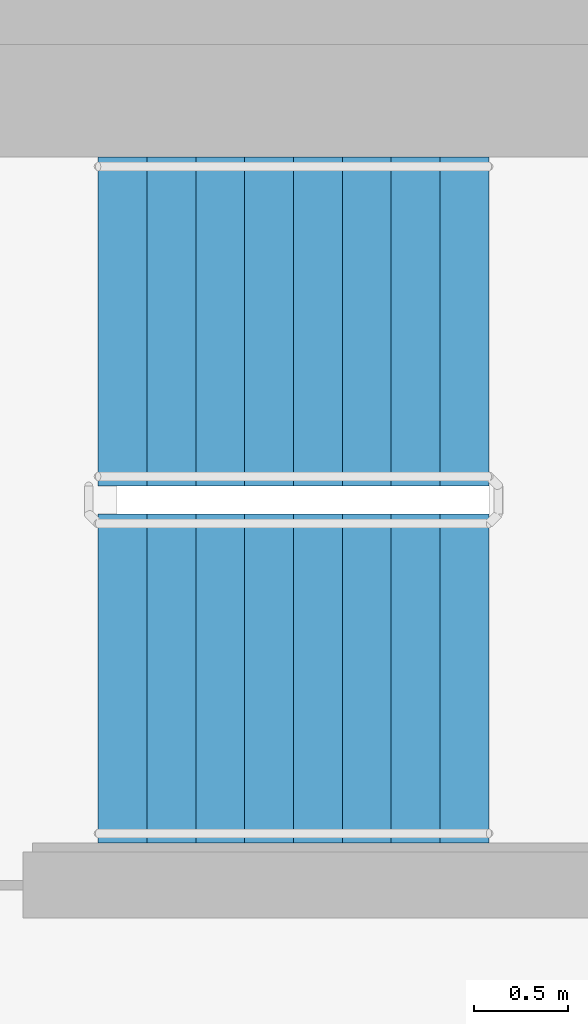
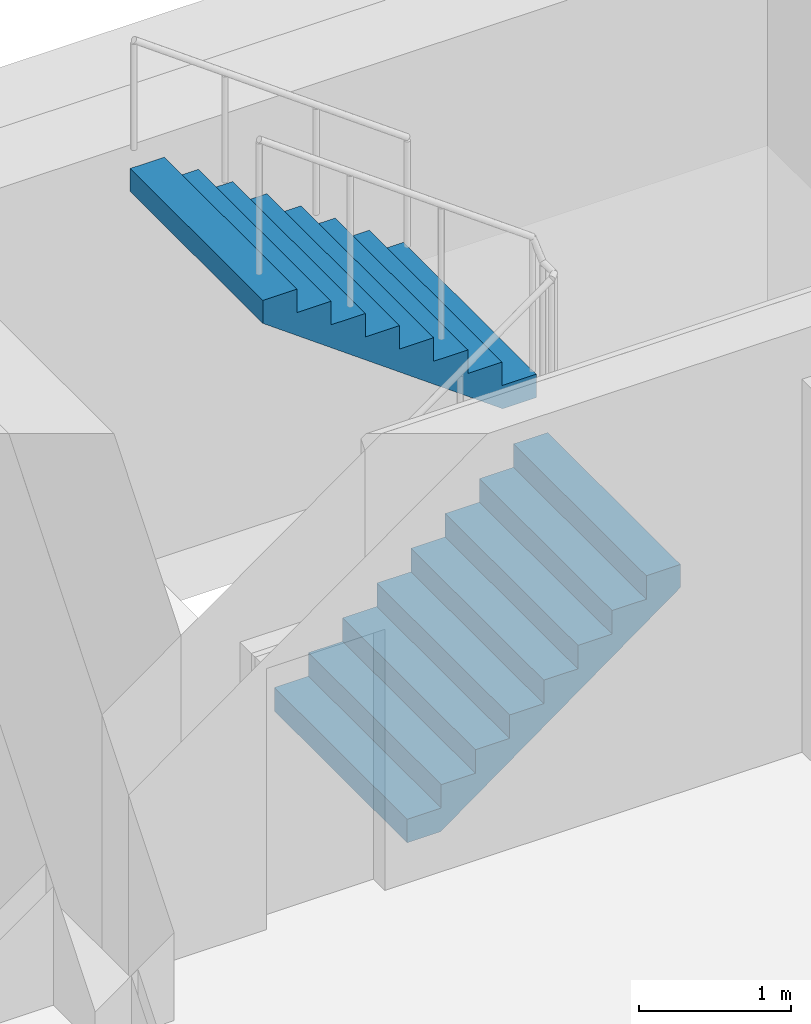
# One storey, part 13 of 18: 2 stair flights, 1 element without a shape of its own.
"""IFC4 building model written with IfcOpenShell, lengths in metres."""

import ifcopenshell
import ifcopenshell.guid

model = None  # the IFC model being written
_history = None  # IfcOwnerHistory: only IFC2X3 demands one
_inside = {}  # id of a spatial element -> (the spatial element, [elements in it])
_under = {}  # id of a project, library or spatial element -> (it, [spatial elements below it])
_declared = {}  # id of a project -> (the project, [libraries it declares])
_typed = {}  # id of a type object -> (the type object, [elements of that type])
_made_of = {}  # id of a material, layer set ... -> (it, [elements and type objects made of it])


def new_model(schema):
    """Start an empty IFC model of exactly this schema.

    Asked for "IFC4X3", IfcOpenShell would pick the latest addendum, in which some entities
    have other attributes; the version numbers below select the first issue.
    IFC2X3 requires an IfcOwnerHistory on every rooted entity: one is made here for all.
    """
    global model, _history
    if schema == "IFC4X3":
        model = ifcopenshell.file(schema_version=(4, 3, 0, 0))
    else:
        model = ifcopenshell.file(schema=schema)
    _inside.clear()
    _under.clear()
    _declared.clear()
    _typed.clear()
    _made_of.clear()
    _history = None
    if model.schema == "IFC2X3":
        org = make("IfcOrganization", Name="unknown")
        user = make(
            "IfcPersonAndOrganization",
            ThePerson=make("IfcPerson", FamilyName="unknown"),
            TheOrganization=org,
        )
        app = make(
            "IfcApplication",
            ApplicationDeveloper=org,
            Version="unknown",
            ApplicationFullName="unknown",
            ApplicationIdentifier="unknown",
        )
        _history = make(
            "IfcOwnerHistory",
            OwningUser=user,
            OwningApplication=app,
            ChangeAction="ADDED",
            CreationDate=0,
        )
    return model


def make(cls, **values):
    """One entity of the class cls with the attributes given. An attribute that is None is left unset."""
    return model.create_entity(
        cls, **{name: value for name, value in values.items() if value is not None}
    )


def rooted(cls, **values):
    """An entity with a GlobalId (a new one), such as an element, a storey or a relation."""
    return make(cls, GlobalId=ifcopenshell.guid.new(), OwnerHistory=_history, **values)


def si_unit(unit_type, name, prefix=None):
    """IfcSIUnit, for example si_unit("LENGTHUNIT", "METRE", prefix="MILLI")."""
    return make("IfcSIUnit", UnitType=unit_type, Prefix=prefix, Name=name)


def assignment(units):
    """IfcUnitAssignment: the units of a project."""
    return None if units is None else make("IfcUnitAssignment", Units=units)


def point(xyz):
    """IfcCartesianPoint."""
    return None if xyz is None else make("IfcCartesianPoint", Coordinates=xyz)


def direction(xyz):
    """IfcDirection."""
    return None if xyz is None else make("IfcDirection", DirectionRatios=xyz)


def frame(location, z_axis=None, x_axis=None):
    """IfcAxis2Placement3D, a coordinate frame: its origin and axes. An axis left out is left unset."""
    return make(
        "IfcAxis2Placement3D",
        Location=point(location),
        Axis=direction(z_axis),
        RefDirection=direction(x_axis),
    )


def origin():
    """The frame at (0, 0, 0) with its axes left unset."""
    return frame((0.0, 0.0, 0.0))


def place(relative_to, where):
    """IfcLocalPlacement: puts the frame where relative to a parent placement (None: the world)."""
    return make(
        "IfcLocalPlacement", PlacementRelTo=relative_to, RelativePlacement=where
    )


def context(
    kind, dimensions, precision=None, world=None, true_north=None, identifier=None
):
    """IfcGeometricRepresentationContext, for example the 3D "Model" context."""
    return make(
        "IfcGeometricRepresentationContext",
        ContextIdentifier=identifier,
        ContextType=kind,
        CoordinateSpaceDimension=dimensions,
        Precision=precision,
        WorldCoordinateSystem=world,
        TrueNorth=true_north,
    )


def subcontext(parent, identifier, kind, view, scale=None):
    """IfcGeometricRepresentationSubContext, for example "Body" below "Model"."""
    return make(
        "IfcGeometricRepresentationSubContext",
        ContextIdentifier=identifier,
        ContextType=kind,
        ParentContext=parent,
        TargetScale=scale,
        TargetView=view,
    )


def project(units=None, contexts=None):
    """IfcProject with its units and contexts."""
    return rooted(
        "IfcProject",
        Name="project",
        RepresentationContexts=contexts,
        UnitsInContext=assignment(units),
    )


def spatial(cls, under=None, at=None, **own):
    """A site, building, storey or space (cls), placed at a placement, below another one or the project."""
    s = rooted(cls, ObjectPlacement=at, **own)
    if under is not None:
        _under.setdefault(under.id(), (under, []))[1].append(s)
    return s


def faces_of(points, faces, orient=None, outer=None):
    """IfcFace entities. A face is a list of loops; a loop is a list of indices into points, from 0.

    orient and outer hold one flag for each loop. By default every Orientation is true, the
    first loop of a face is its IfcFaceOuterBound and the others are IfcFaceBound.
    """
    made = []
    for i, loops in enumerate(faces):
        bounds = []
        for j, loop in enumerate(loops):
            is_outer = j == 0 if outer is None else outer[i][j]
            bounds.append(
                make(
                    "IfcFaceOuterBound" if is_outer else "IfcFaceBound",
                    Bound=make("IfcPolyLoop", Polygon=[points[k] for k in loop]),
                    Orientation=True if orient is None else orient[i][j],
                )
            )
        made.append(make("IfcFace", Bounds=bounds))
    return made


def faceted_brep(points, faces, orient=None, outer=None, voids=None):
    """IfcFacetedBrep: a solid bounded by flat faces; with voids (closed shells), ...WithVoids."""
    shared = [point(p) for p in points]
    hull = make("IfcClosedShell", CfsFaces=faces_of(shared, faces, orient, outer))
    if voids is None:
        return make("IfcFacetedBrep", Outer=hull)
    return make(
        "IfcFacetedBrepWithVoids",
        Outer=hull,
        Voids=[
            make(cls, CfsFaces=faces_of(shared, fs, o, b)) for cls, fs, o, b in voids
        ],
    )


def shape(context_of_items, identifier, shape_type, items):
    """IfcShapeRepresentation: the items that make up one representation, for example the "Body"."""
    return make(
        "IfcShapeRepresentation",
        ContextOfItems=context_of_items,
        RepresentationIdentifier=identifier,
        RepresentationType=shape_type,
        Items=items,
    )


def material(Name=None, Category=None):
    """IfcMaterial."""
    return make("IfcMaterial", Name=Name, Category=Category)


def made_of(thing, what):
    """Note that an element or type object is made of a material, layer set ...; save() writes the relation."""
    if what is not None:
        _made_of.setdefault(what.id(), (what, []))[1].append(thing)
    return thing


def type_object(cls, material=None, **own):
    """A type object (cls), such as IfcWallType, which elements share."""
    return made_of(rooted(cls, **own), material)


def element(
    cls,
    number,
    at=None,
    inside=None,
    cuts=None,
    type_object=None,
    material=None,
    context=None,
    identifier="Body",
    shape_type=None,
    held_by="IfcProductDefinitionShape",
    body=None,
    shapes=None,
    **own,
):
    """One element of the class cls, such as IfcWall. Its Tag is "e" and its number.

    at: its placement. inside: the storey or other place that contains it. cuts: it is an
    opening in that element (IfcRelVoidsElement). A single representation is given by context,
    identifier, shape_type and body (its items); several are given by shapes. held_by: the class
    of the entity that holds the representations. save() writes the other relations.
    """
    e = rooted(cls, Tag="e%d" % number, ObjectPlacement=at, **own)
    if body is not None:
        shapes = [shape(context, identifier, shape_type, body)]
    if shapes is not None:
        e.Representation = make(held_by, Representations=shapes)
    if inside is not None:
        _inside.setdefault(inside.id(), (inside, []))[1].append(e)
    if cuts is not None:
        rooted(
            "IfcRelVoidsElement", RelatingBuildingElement=cuts, RelatedOpeningElement=e
        )
    if type_object is not None:
        _typed.setdefault(type_object.id(), (type_object, []))[1].append(e)
    return made_of(e, material)


def aggregate(whole, parts):
    """IfcRelAggregates: a whole, such as a stair, and the parts it consists of."""
    return rooted("IfcRelAggregates", RelatingObject=whole, RelatedObjects=parts)


def save(model, path):
    """Write the relations noted so far, then the file.

    IfcRelAggregates (storeys below a building ...), IfcRelContainedInSpatialStructure (elements
    in a storey), IfcRelDefinesByType, IfcRelAssociatesMaterial and IfcRelDeclares: one each for
    every whole, place, type object, material and project.
    """
    for whole, parts in _under.values():
        aggregate(whole, parts)
    for where, things in _inside.values():
        rooted(
            "IfcRelContainedInSpatialStructure",
            RelatedElements=things,
            RelatingStructure=where,
        )
    for kind, things in _typed.values():
        rooted("IfcRelDefinesByType", RelatedObjects=things, RelatingType=kind)
    for what, things in _made_of.values():
        rooted("IfcRelAssociatesMaterial", RelatedObjects=things, RelatingMaterial=what)
    for by, libraries in _declared.values():
        rooted("IfcRelDeclares", RelatingContext=by, RelatedDefinitions=libraries)
    model.write(path)


model = new_model("IFC4")

# Units and contexts
model_context = context("Model", 3, precision=1e-05, world=origin(), true_north=direction((0.0, 1.0)))
body_context = subcontext(model_context, "Body", "Model", "MODEL_VIEW")
ifc_project = project(units=[si_unit("LENGTHUNIT", "METRE"), si_unit("AREAUNIT", "SQUARE_METRE"), si_unit("VOLUMEUNIT", "CUBIC_METRE"), si_unit("PLANEANGLEUNIT", "RADIAN"), si_unit("MASSUNIT", "GRAM", prefix="KILO")], contexts=[model_context])

# Site, building, storey
site_placement = place(None, origin())
site = spatial("IfcSite", under=ifc_project, at=site_placement, CompositionType="ELEMENT")
building_placement = place(site_placement, origin())
building = spatial("IfcBuilding", under=site, at=building_placement, Name="Ipe Terrace Towers", CompositionType="ELEMENT")
storey_placement = place(building_placement, frame((0.0, 0.0, 223.199951171875)))
storey = spatial("IfcBuildingStorey", under=building, at=storey_placement, Name="L62", CompositionType="ELEMENT", Elevation=223.199951171875)

# Stair, stair flights
ifc_material_1 = material(Name="Concrete C30/37", Category="concrete")
stair_type = type_object("IfcStairType", Name="Protected exit stair", PredefinedType="HALF_TURN_STAIR", material=ifc_material_1)
stair_placement = place(storey_placement, origin())
stair = element("IfcStair", 1, at=stair_placement, inside=storey, type_object=stair_type, Name="L62 Exit stair T1-C1", PredefinedType="HALF_TURN_STAIR")
ifc_material_2 = material(Name="Concrete C30/37", Category="concrete")
stair_flight_type = type_object("IfcStairFlightType", Name="Exit stair flight 1750", PredefinedType="STRAIGHT", material=ifc_material_2)
stair_flight_1_placement = place(storey_placement, frame((-26.300048828125, 2.77490234375, 0.0), z_axis=(0.0, 0.0, 1.0), x_axis=(1.0, 0.0, 0.0)))
stair_flight_1 = element("IfcStairFlight", 2, at=stair_flight_1_placement, type_object=stair_flight_type, Name="T1-ST1 flight 1", NumberOfRisers=9, NumberOfTreads=8, PredefinedType="STRAIGHT", RiserHeight=0.188888889, TreadLength=0.26, context=body_context, shape_type="Brep", body=[
    faceted_brep([(0.255126953125, -0.875, 0.0), (2.080078125, -0.875, 1.325927734375), (2.080078125, -0.875, 1.51123046875), (1.820068359375, -0.875, 1.51123046875), (1.820068359375, -0.875, 1.322265625), (1.56005859375, -0.875, 1.322265625), (1.56005859375, -0.875, 1.13330078125), (1.300048828125, -0.875, 1.13330078125), (1.300048828125, -0.875, 0.9443359375), (1.0400390625, -0.875, 0.9443359375), (1.0400390625, -0.875, 0.755615234375), (0.780029296875, -0.875, 0.755615234375), (0.780029296875, -0.875, 0.566650390625), (0.52001953125, -0.875, 0.566650390625), (0.52001953125, -0.875, 0.377685546875), (0.260009765625, -0.875, 0.377685546875), (0.260009765625, -0.875, 0.18896484375), (0.0, -0.875, 0.18896484375), (0.0, -0.875, 0.0), (0.0, 0.875, 0.0), (0.0, 0.875, 0.18896484375), (0.260009765625, 0.875, 0.18896484375), (0.260009765625, 0.875, 0.377685546875), (0.52001953125, 0.875, 0.377685546875), (0.52001953125, 0.875, 0.566650390625), (0.780029296875, 0.875, 0.566650390625), (0.780029296875, 0.875, 0.755615234375), (1.0400390625, 0.875, 0.755615234375), (1.0400390625, 0.875, 0.9443359375), (1.300048828125, 0.875, 0.9443359375), (1.300048828125, 0.875, 1.13330078125), (1.56005859375, 0.875, 1.13330078125), (1.56005859375, 0.875, 1.322265625), (1.820068359375, 0.875, 1.322265625), (1.820068359375, 0.875, 1.51123046875), (2.080078125, 0.875, 1.51123046875), (2.080078125, 0.875, 1.325927734375), (0.255126953125, 0.875, 0.0), (0.0, -0.300048828125, 0.18896484375), (0.0, -0.1201171875, 0.18896484375), (0.0, -0.06005859375, 0.18896484375), (0.0, -0.030029296875, 0.18896484375), (0.0, -0.010009765625, 0.18896484375), (0.0, 0.0, 0.18896484375), (0.0, 0.010009765625, 0.18896484375), (0.0, 0.030029296875, 0.18896484375), (0.0, 0.06005859375, 0.18896484375), (0.0, 0.1201171875, 0.18896484375), (0.0, 0.300048828125, 0.18896484375), (0.0, 0.300048828125, 0.0), (0.0, 0.1201171875, 0.0), (0.0, 0.06005859375, 0.0), (0.0, 0.030029296875, 0.0), (0.0, 0.010009765625, 0.0), (0.0, 0.0, 0.0), (0.0, -0.010009765625, 0.0), (0.0, -0.030029296875, 0.0), (0.0, -0.06005859375, 0.0), (0.0, -0.1201171875, 0.0), (0.0, -0.300048828125, 0.0), (0.260009765625, -0.300048828125, 0.18896484375), (0.260009765625, -0.1201171875, 0.18896484375), (0.260009765625, -0.06005859375, 0.18896484375), (0.260009765625, -0.030029296875, 0.18896484375), (0.260009765625, -0.010009765625, 0.18896484375), (0.260009765625, 0.0, 0.18896484375), (0.260009765625, 0.010009765625, 0.18896484375), (0.260009765625, 0.030029296875, 0.18896484375), (0.260009765625, 0.06005859375, 0.18896484375), (0.260009765625, 0.1201171875, 0.18896484375), (0.260009765625, 0.300048828125, 0.18896484375), (0.260009765625, -0.300048828125, 0.377685546875), (0.260009765625, -0.1201171875, 0.377685546875), (0.260009765625, -0.06005859375, 0.377685546875), (0.260009765625, -0.030029296875, 0.377685546875), (0.260009765625, -0.010009765625, 0.377685546875), (0.260009765625, 0.0, 0.377685546875), (0.260009765625, 0.010009765625, 0.377685546875), (0.260009765625, 0.030029296875, 0.377685546875), (0.260009765625, 0.06005859375, 0.377685546875), (0.260009765625, 0.1201171875, 0.377685546875), (0.260009765625, 0.300048828125, 0.377685546875), (0.52001953125, -0.300048828125, 0.377685546875), (0.52001953125, -0.1201171875, 0.377685546875), (0.52001953125, -0.06005859375, 0.377685546875), (0.52001953125, -0.030029296875, 0.377685546875), (0.52001953125, -0.010009765625, 0.377685546875), (0.52001953125, 0.0, 0.377685546875), (0.52001953125, 0.010009765625, 0.377685546875), (0.52001953125, 0.030029296875, 0.377685546875), (0.52001953125, 0.06005859375, 0.377685546875), (0.52001953125, 0.1201171875, 0.377685546875), (0.52001953125, 0.300048828125, 0.377685546875), (0.52001953125, -0.300048828125, 0.566650390625), (0.52001953125, -0.1201171875, 0.566650390625), (0.52001953125, -0.06005859375, 0.566650390625), (0.52001953125, -0.030029296875, 0.566650390625), (0.52001953125, -0.010009765625, 0.566650390625), (0.52001953125, 0.0, 0.566650390625), (0.52001953125, 0.010009765625, 0.566650390625), (0.52001953125, 0.030029296875, 0.566650390625), (0.52001953125, 0.06005859375, 0.566650390625), (0.52001953125, 0.1201171875, 0.566650390625), (0.52001953125, 0.300048828125, 0.566650390625), (0.780029296875, -0.300048828125, 0.566650390625), (0.780029296875, -0.1201171875, 0.566650390625), (0.780029296875, -0.06005859375, 0.566650390625), (0.780029296875, -0.030029296875, 0.566650390625), (0.780029296875, -0.010009765625, 0.566650390625), (0.780029296875, 0.0, 0.566650390625), (0.780029296875, 0.010009765625, 0.566650390625), (0.780029296875, 0.030029296875, 0.566650390625), (0.780029296875, 0.06005859375, 0.566650390625), (0.780029296875, 0.1201171875, 0.566650390625), (0.780029296875, 0.300048828125, 0.566650390625), (0.780029296875, -0.300048828125, 0.755615234375), (0.780029296875, -0.1201171875, 0.755615234375), (0.780029296875, -0.06005859375, 0.755615234375), (0.780029296875, -0.030029296875, 0.755615234375), (0.780029296875, -0.010009765625, 0.755615234375), (0.780029296875, 0.0, 0.755615234375), (0.780029296875, 0.010009765625, 0.755615234375), (0.780029296875, 0.030029296875, 0.755615234375), (0.780029296875, 0.06005859375, 0.755615234375), (0.780029296875, 0.1201171875, 0.755615234375), (0.780029296875, 0.300048828125, 0.755615234375), (1.0400390625, -0.300048828125, 0.755615234375), (1.0400390625, -0.1201171875, 0.755615234375), (1.0400390625, -0.06005859375, 0.755615234375), (1.0400390625, -0.030029296875, 0.755615234375), (1.0400390625, -0.010009765625, 0.755615234375), (1.0400390625, 0.0, 0.755615234375), (1.0400390625, 0.010009765625, 0.755615234375), (1.0400390625, 0.030029296875, 0.755615234375), (1.0400390625, 0.06005859375, 0.755615234375), (1.0400390625, 0.1201171875, 0.755615234375), (1.0400390625, 0.300048828125, 0.755615234375), (1.0400390625, -0.300048828125, 0.9443359375), (1.0400390625, -0.1201171875, 0.9443359375), (1.0400390625, -0.06005859375, 0.9443359375), (1.0400390625, -0.030029296875, 0.9443359375), (1.0400390625, -0.010009765625, 0.9443359375), (1.0400390625, 0.0, 0.9443359375), (1.0400390625, 0.010009765625, 0.9443359375), (1.0400390625, 0.030029296875, 0.9443359375), (1.0400390625, 0.06005859375, 0.9443359375), (1.0400390625, 0.1201171875, 0.9443359375), (1.0400390625, 0.300048828125, 0.9443359375), (1.300048828125, -0.300048828125, 0.9443359375), (1.300048828125, -0.1201171875, 0.9443359375), (1.300048828125, -0.06005859375, 0.9443359375), (1.300048828125, -0.030029296875, 0.9443359375), (1.300048828125, -0.010009765625, 0.9443359375), (1.300048828125, 0.0, 0.9443359375), (1.300048828125, 0.010009765625, 0.9443359375), (1.300048828125, 0.030029296875, 0.9443359375), (1.300048828125, 0.06005859375, 0.9443359375), (1.300048828125, 0.1201171875, 0.9443359375), (1.300048828125, 0.300048828125, 0.9443359375), (1.300048828125, -0.300048828125, 1.13330078125), (1.300048828125, -0.1201171875, 1.13330078125), (1.300048828125, -0.06005859375, 1.13330078125), (1.300048828125, -0.030029296875, 1.13330078125), (1.300048828125, -0.010009765625, 1.13330078125), (1.300048828125, 0.0, 1.13330078125), (1.300048828125, 0.010009765625, 1.13330078125), (1.300048828125, 0.030029296875, 1.13330078125), (1.300048828125, 0.06005859375, 1.13330078125), (1.300048828125, 0.1201171875, 1.13330078125), (1.300048828125, 0.300048828125, 1.13330078125), (1.56005859375, -0.300048828125, 1.13330078125), (1.56005859375, -0.1201171875, 1.13330078125), (1.56005859375, -0.06005859375, 1.13330078125), (1.56005859375, -0.030029296875, 1.13330078125), (1.56005859375, -0.010009765625, 1.13330078125), (1.56005859375, 0.0, 1.13330078125), (1.56005859375, 0.010009765625, 1.13330078125), (1.56005859375, 0.030029296875, 1.13330078125), (1.56005859375, 0.06005859375, 1.13330078125), (1.56005859375, 0.1201171875, 1.13330078125), (1.56005859375, 0.300048828125, 1.13330078125), (1.56005859375, -0.300048828125, 1.322265625), (1.56005859375, -0.1201171875, 1.322265625), (1.56005859375, -0.06005859375, 1.322265625), (1.56005859375, -0.030029296875, 1.322265625), (1.56005859375, -0.010009765625, 1.322265625), (1.56005859375, 0.0, 1.322265625), (1.56005859375, 0.010009765625, 1.322265625), (1.56005859375, 0.030029296875, 1.322265625), (1.56005859375, 0.06005859375, 1.322265625), (1.56005859375, 0.1201171875, 1.322265625), (1.56005859375, 0.300048828125, 1.322265625), (1.820068359375, -0.300048828125, 1.322265625), (1.820068359375, -0.1201171875, 1.322265625), (1.820068359375, -0.06005859375, 1.322265625), (1.820068359375, -0.030029296875, 1.322265625), (1.820068359375, -0.010009765625, 1.322265625), (1.820068359375, 0.0, 1.322265625), (1.820068359375, 0.010009765625, 1.322265625), (1.820068359375, 0.030029296875, 1.322265625), (1.820068359375, 0.06005859375, 1.322265625), (1.820068359375, 0.1201171875, 1.322265625), (1.820068359375, 0.300048828125, 1.322265625), (1.820068359375, -0.300048828125, 1.51123046875), (1.820068359375, -0.1201171875, 1.51123046875), (1.820068359375, -0.06005859375, 1.51123046875), (1.820068359375, -0.030029296875, 1.51123046875), (1.820068359375, -0.010009765625, 1.51123046875), (1.820068359375, 0.0, 1.51123046875), (1.820068359375, 0.010009765625, 1.51123046875), (1.820068359375, 0.030029296875, 1.51123046875), (1.820068359375, 0.06005859375, 1.51123046875), (1.820068359375, 0.1201171875, 1.51123046875), (1.820068359375, 0.300048828125, 1.51123046875), (2.080078125, -0.300048828125, 1.51123046875), (2.080078125, -0.1201171875, 1.51123046875), (2.080078125, -0.06005859375, 1.51123046875), (2.080078125, -0.030029296875, 1.51123046875), (2.080078125, -0.010009765625, 1.51123046875), (2.080078125, 0.0, 1.51123046875), (2.080078125, 0.010009765625, 1.51123046875), (2.080078125, 0.030029296875, 1.51123046875), (2.080078125, 0.06005859375, 1.51123046875), (2.080078125, 0.1201171875, 1.51123046875), (2.080078125, 0.300048828125, 1.51123046875), (2.080078125, -0.300048828125, 1.325927734375), (2.080078125, -0.1201171875, 1.325927734375), (2.080078125, -0.06005859375, 1.325927734375), (2.080078125, -0.030029296875, 1.325927734375), (2.080078125, -0.010009765625, 1.325927734375), (2.080078125, 0.0, 1.325927734375), (2.080078125, 0.010009765625, 1.325927734375), (2.080078125, 0.030029296875, 1.325927734375), (2.080078125, 0.06005859375, 1.325927734375), (2.080078125, 0.1201171875, 1.325927734375), (2.080078125, 0.300048828125, 1.325927734375), (0.255126953125, -0.300048828125, 0.0), (0.255126953125, -0.1201171875, 0.0), (0.255126953125, -0.06005859375, 0.0), (0.255126953125, -0.030029296875, 0.0), (0.255126953125, -0.010009765625, 0.0), (0.255126953125, 0.0, 0.0), (0.255126953125, 0.010009765625, 0.0), (0.255126953125, 0.030029296875, 0.0), (0.255126953125, 0.06005859375, 0.0), (0.255126953125, 0.1201171875, 0.0), (0.255126953125, 0.300048828125, 0.0)], [[[0, 1, 2, 3, 4, 5, 6, 7, 8, 9, 10, 11, 12, 13, 14, 15, 16, 17, 18]], [[19, 20, 21, 22, 23, 24, 25, 26, 27, 28, 29, 30, 31, 32, 33, 34, 35, 36, 37]], [[17, 38, 39, 40, 41, 42, 43, 44, 45, 46, 47, 48, 20, 19, 49, 50, 51, 52, 53, 54, 55, 56, 57, 58, 59, 18]], [[16, 60, 61, 62, 63, 64, 65, 66, 67, 68, 69, 70, 21, 20, 48, 47, 46, 45, 44, 43, 42, 41, 40, 39, 38, 17]], [[15, 71, 72, 73, 74, 75, 76, 77, 78, 79, 80, 81, 22, 21, 70, 69, 68, 67, 66, 65, 64, 63, 62, 61, 60, 16]], [[14, 82, 83, 84, 85, 86, 87, 88, 89, 90, 91, 92, 23, 22, 81, 80, 79, 78, 77, 76, 75, 74, 73, 72, 71, 15]], [[13, 93, 94, 95, 96, 97, 98, 99, 100, 101, 102, 103, 24, 23, 92, 91, 90, 89, 88, 87, 86, 85, 84, 83, 82, 14]], [[12, 104, 105, 106, 107, 108, 109, 110, 111, 112, 113, 114, 25, 24, 103, 102, 101, 100, 99, 98, 97, 96, 95, 94, 93, 13]], [[11, 115, 116, 117, 118, 119, 120, 121, 122, 123, 124, 125, 26, 25, 114, 113, 112, 111, 110, 109, 108, 107, 106, 105, 104, 12]], [[10, 126, 127, 128, 129, 130, 131, 132, 133, 134, 135, 136, 27, 26, 125, 124, 123, 122, 121, 120, 119, 118, 117, 116, 115, 11]], [[9, 137, 138, 139, 140, 141, 142, 143, 144, 145, 146, 147, 28, 27, 136, 135, 134, 133, 132, 131, 130, 129, 128, 127, 126, 10]], [[8, 148, 149, 150, 151, 152, 153, 154, 155, 156, 157, 158, 29, 28, 147, 146, 145, 144, 143, 142, 141, 140, 139, 138, 137, 9]], [[7, 159, 160, 161, 162, 163, 164, 165, 166, 167, 168, 169, 30, 29, 158, 157, 156, 155, 154, 153, 152, 151, 150, 149, 148, 8]], [[6, 170, 171, 172, 173, 174, 175, 176, 177, 178, 179, 180, 31, 30, 169, 168, 167, 166, 165, 164, 163, 162, 161, 160, 159, 7]], [[5, 181, 182, 183, 184, 185, 186, 187, 188, 189, 190, 191, 32, 31, 180, 179, 178, 177, 176, 175, 174, 173, 172, 171, 170, 6]], [[4, 192, 193, 194, 195, 196, 197, 198, 199, 200, 201, 202, 33, 32, 191, 190, 189, 188, 187, 186, 185, 184, 183, 182, 181, 5]], [[3, 203, 204, 205, 206, 207, 208, 209, 210, 211, 212, 213, 34, 33, 202, 201, 200, 199, 198, 197, 196, 195, 194, 193, 192, 4]], [[2, 214, 215, 216, 217, 218, 219, 220, 221, 222, 223, 224, 35, 34, 213, 212, 211, 210, 209, 208, 207, 206, 205, 204, 203, 3]], [[1, 225, 226, 227, 228, 229, 230, 231, 232, 233, 234, 235, 36, 35, 224, 223, 222, 221, 220, 219, 218, 217, 216, 215, 214, 2]], [[0, 236, 237, 238, 239, 240, 241, 242, 243, 244, 245, 246, 37, 36, 235, 234, 233, 232, 231, 230, 229, 228, 227, 226, 225, 1]], [[18, 59, 58, 57, 56, 55, 54, 53, 52, 51, 50, 49, 19, 37, 246, 245, 244, 243, 242, 241, 240, 239, 238, 237, 236, 0]]]),
])
stair_flight_2_placement = place(storey_placement, frame((-24.219970703125, 4.675048828125, 1.699951171875), z_axis=(0.0, 0.0, 1.0), x_axis=(-1.0, 0.0, 0.0)))
stair_flight_2 = element("IfcStairFlight", 3, at=stair_flight_2_placement, type_object=stair_flight_type, Name="T1-ST1 flight 2", NumberOfRisers=9, NumberOfTreads=8, PredefinedType="STRAIGHT", RiserHeight=0.188888889, TreadLength=0.26, context=body_context, shape_type="Brep", body=[
    faceted_brep([(0.255126953125, -0.875, 0.0), (2.080078125, -0.875, 1.325927734375), (2.080078125, -0.875, 1.51123046875), (1.820068359375, -0.875, 1.51123046875), (1.820068359375, -0.875, 1.322265625), (1.56005859375, -0.875, 1.322265625), (1.56005859375, -0.875, 1.13330078125), (1.300048828125, -0.875, 1.13330078125), (1.300048828125, -0.875, 0.9443359375), (1.0400390625, -0.875, 0.9443359375), (1.0400390625, -0.875, 0.755615234375), (0.780029296875, -0.875, 0.755615234375), (0.780029296875, -0.875, 0.566650390625), (0.52001953125, -0.875, 0.566650390625), (0.52001953125, -0.875, 0.377685546875), (0.260009765625, -0.875, 0.377685546875), (0.260009765625, -0.875, 0.18896484375), (0.0, -0.875, 0.18896484375), (0.0, -0.875, 0.0), (0.0, 0.875, 0.0), (0.0, 0.875, 0.18896484375), (0.260009765625, 0.875, 0.18896484375), (0.260009765625, 0.875, 0.377685546875), (0.52001953125, 0.875, 0.377685546875), (0.52001953125, 0.875, 0.566650390625), (0.780029296875, 0.875, 0.566650390625), (0.780029296875, 0.875, 0.755615234375), (1.0400390625, 0.875, 0.755615234375), (1.0400390625, 0.875, 0.9443359375), (1.300048828125, 0.875, 0.9443359375), (1.300048828125, 0.875, 1.13330078125), (1.56005859375, 0.875, 1.13330078125), (1.56005859375, 0.875, 1.322265625), (1.820068359375, 0.875, 1.322265625), (1.820068359375, 0.875, 1.51123046875), (2.080078125, 0.875, 1.51123046875), (2.080078125, 0.875, 1.325927734375), (0.255126953125, 0.875, 0.0), (0.0, -0.300048828125, 0.18896484375), (0.0, -0.1201171875, 0.18896484375), (0.0, -0.06005859375, 0.18896484375), (0.0, -0.030029296875, 0.18896484375), (0.0, -0.010009765625, 0.18896484375), (0.0, 0.0, 0.18896484375), (0.0, 0.010009765625, 0.18896484375), (0.0, 0.030029296875, 0.18896484375), (0.0, 0.06005859375, 0.18896484375), (0.0, 0.1201171875, 0.18896484375), (0.0, 0.300048828125, 0.18896484375), (0.0, 0.300048828125, 0.0), (0.0, 0.1201171875, 0.0), (0.0, 0.06005859375, 0.0), (0.0, 0.030029296875, 0.0), (0.0, 0.010009765625, 0.0), (0.0, 0.0, 0.0), (0.0, -0.010009765625, 0.0), (0.0, -0.030029296875, 0.0), (0.0, -0.06005859375, 0.0), (0.0, -0.1201171875, 0.0), (0.0, -0.300048828125, 0.0), (0.260009765625, -0.300048828125, 0.18896484375), (0.260009765625, -0.1201171875, 0.18896484375), (0.260009765625, -0.06005859375, 0.18896484375), (0.260009765625, -0.030029296875, 0.18896484375), (0.260009765625, -0.010009765625, 0.18896484375), (0.260009765625, 0.0, 0.18896484375), (0.260009765625, 0.010009765625, 0.18896484375), (0.260009765625, 0.030029296875, 0.18896484375), (0.260009765625, 0.06005859375, 0.18896484375), (0.260009765625, 0.1201171875, 0.18896484375), (0.260009765625, 0.300048828125, 0.18896484375), (0.260009765625, -0.300048828125, 0.377685546875), (0.260009765625, -0.1201171875, 0.377685546875), (0.260009765625, -0.06005859375, 0.377685546875), (0.260009765625, -0.030029296875, 0.377685546875), (0.260009765625, -0.010009765625, 0.377685546875), (0.260009765625, 0.0, 0.377685546875), (0.260009765625, 0.010009765625, 0.377685546875), (0.260009765625, 0.030029296875, 0.377685546875), (0.260009765625, 0.06005859375, 0.377685546875), (0.260009765625, 0.1201171875, 0.377685546875), (0.260009765625, 0.300048828125, 0.377685546875), (0.52001953125, -0.300048828125, 0.377685546875), (0.52001953125, -0.1201171875, 0.377685546875), (0.52001953125, -0.06005859375, 0.377685546875), (0.52001953125, -0.030029296875, 0.377685546875), (0.52001953125, -0.010009765625, 0.377685546875), (0.52001953125, 0.0, 0.377685546875), (0.52001953125, 0.010009765625, 0.377685546875), (0.52001953125, 0.030029296875, 0.377685546875), (0.52001953125, 0.06005859375, 0.377685546875), (0.52001953125, 0.1201171875, 0.377685546875), (0.52001953125, 0.300048828125, 0.377685546875), (0.52001953125, -0.300048828125, 0.566650390625), (0.52001953125, -0.1201171875, 0.566650390625), (0.52001953125, -0.06005859375, 0.566650390625), (0.52001953125, -0.030029296875, 0.566650390625), (0.52001953125, -0.010009765625, 0.566650390625), (0.52001953125, 0.0, 0.566650390625), (0.52001953125, 0.010009765625, 0.566650390625), (0.52001953125, 0.030029296875, 0.566650390625), (0.52001953125, 0.06005859375, 0.566650390625), (0.52001953125, 0.1201171875, 0.566650390625), (0.52001953125, 0.300048828125, 0.566650390625), (0.780029296875, -0.300048828125, 0.566650390625), (0.780029296875, -0.1201171875, 0.566650390625), (0.780029296875, -0.06005859375, 0.566650390625), (0.780029296875, -0.030029296875, 0.566650390625), (0.780029296875, -0.010009765625, 0.566650390625), (0.780029296875, 0.0, 0.566650390625), (0.780029296875, 0.010009765625, 0.566650390625), (0.780029296875, 0.030029296875, 0.566650390625), (0.780029296875, 0.06005859375, 0.566650390625), (0.780029296875, 0.1201171875, 0.566650390625), (0.780029296875, 0.300048828125, 0.566650390625), (0.780029296875, -0.300048828125, 0.755615234375), (0.780029296875, -0.1201171875, 0.755615234375), (0.780029296875, -0.06005859375, 0.755615234375), (0.780029296875, -0.030029296875, 0.755615234375), (0.780029296875, -0.010009765625, 0.755615234375), (0.780029296875, 0.0, 0.755615234375), (0.780029296875, 0.010009765625, 0.755615234375), (0.780029296875, 0.030029296875, 0.755615234375), (0.780029296875, 0.06005859375, 0.755615234375), (0.780029296875, 0.1201171875, 0.755615234375), (0.780029296875, 0.300048828125, 0.755615234375), (1.0400390625, -0.300048828125, 0.755615234375), (1.0400390625, -0.1201171875, 0.755615234375), (1.0400390625, -0.06005859375, 0.755615234375), (1.0400390625, -0.030029296875, 0.755615234375), (1.0400390625, -0.010009765625, 0.755615234375), (1.0400390625, 0.0, 0.755615234375), (1.0400390625, 0.010009765625, 0.755615234375), (1.0400390625, 0.030029296875, 0.755615234375), (1.0400390625, 0.06005859375, 0.755615234375), (1.0400390625, 0.1201171875, 0.755615234375), (1.0400390625, 0.300048828125, 0.755615234375), (1.0400390625, -0.300048828125, 0.9443359375), (1.0400390625, -0.1201171875, 0.9443359375), (1.0400390625, -0.06005859375, 0.9443359375), (1.0400390625, -0.030029296875, 0.9443359375), (1.0400390625, -0.010009765625, 0.9443359375), (1.0400390625, 0.0, 0.9443359375), (1.0400390625, 0.010009765625, 0.9443359375), (1.0400390625, 0.030029296875, 0.9443359375), (1.0400390625, 0.06005859375, 0.9443359375), (1.0400390625, 0.1201171875, 0.9443359375), (1.0400390625, 0.300048828125, 0.9443359375), (1.300048828125, -0.300048828125, 0.9443359375), (1.300048828125, -0.1201171875, 0.9443359375), (1.300048828125, -0.06005859375, 0.9443359375), (1.300048828125, -0.030029296875, 0.9443359375), (1.300048828125, -0.010009765625, 0.9443359375), (1.300048828125, 0.0, 0.9443359375), (1.300048828125, 0.010009765625, 0.9443359375), (1.300048828125, 0.030029296875, 0.9443359375), (1.300048828125, 0.06005859375, 0.9443359375), (1.300048828125, 0.1201171875, 0.9443359375), (1.300048828125, 0.300048828125, 0.9443359375), (1.300048828125, -0.300048828125, 1.13330078125), (1.300048828125, -0.1201171875, 1.13330078125), (1.300048828125, -0.06005859375, 1.13330078125), (1.300048828125, -0.030029296875, 1.13330078125), (1.300048828125, -0.010009765625, 1.13330078125), (1.300048828125, 0.0, 1.13330078125), (1.300048828125, 0.010009765625, 1.13330078125), (1.300048828125, 0.030029296875, 1.13330078125), (1.300048828125, 0.06005859375, 1.13330078125), (1.300048828125, 0.1201171875, 1.13330078125), (1.300048828125, 0.300048828125, 1.13330078125), (1.56005859375, -0.300048828125, 1.13330078125), (1.56005859375, -0.1201171875, 1.13330078125), (1.56005859375, -0.06005859375, 1.13330078125), (1.56005859375, -0.030029296875, 1.13330078125), (1.56005859375, -0.010009765625, 1.13330078125), (1.56005859375, 0.0, 1.13330078125), (1.56005859375, 0.010009765625, 1.13330078125), (1.56005859375, 0.030029296875, 1.13330078125), (1.56005859375, 0.06005859375, 1.13330078125), (1.56005859375, 0.1201171875, 1.13330078125), (1.56005859375, 0.300048828125, 1.13330078125), (1.56005859375, -0.300048828125, 1.322265625), (1.56005859375, -0.1201171875, 1.322265625), (1.56005859375, -0.06005859375, 1.322265625), (1.56005859375, -0.030029296875, 1.322265625), (1.56005859375, -0.010009765625, 1.322265625), (1.56005859375, 0.0, 1.322265625), (1.56005859375, 0.010009765625, 1.322265625), (1.56005859375, 0.030029296875, 1.322265625), (1.56005859375, 0.06005859375, 1.322265625), (1.56005859375, 0.1201171875, 1.322265625), (1.56005859375, 0.300048828125, 1.322265625), (1.820068359375, -0.300048828125, 1.322265625), (1.820068359375, -0.1201171875, 1.322265625), (1.820068359375, -0.06005859375, 1.322265625), (1.820068359375, -0.030029296875, 1.322265625), (1.820068359375, -0.010009765625, 1.322265625), (1.820068359375, 0.0, 1.322265625), (1.820068359375, 0.010009765625, 1.322265625), (1.820068359375, 0.030029296875, 1.322265625), (1.820068359375, 0.06005859375, 1.322265625), (1.820068359375, 0.1201171875, 1.322265625), (1.820068359375, 0.300048828125, 1.322265625), (1.820068359375, -0.300048828125, 1.51123046875), (1.820068359375, -0.1201171875, 1.51123046875), (1.820068359375, -0.06005859375, 1.51123046875), (1.820068359375, -0.030029296875, 1.51123046875), (1.820068359375, -0.010009765625, 1.51123046875), (1.820068359375, 0.0, 1.51123046875), (1.820068359375, 0.010009765625, 1.51123046875), (1.820068359375, 0.030029296875, 1.51123046875), (1.820068359375, 0.06005859375, 1.51123046875), (1.820068359375, 0.1201171875, 1.51123046875), (1.820068359375, 0.300048828125, 1.51123046875), (2.080078125, -0.300048828125, 1.51123046875), (2.080078125, -0.1201171875, 1.51123046875), (2.080078125, -0.06005859375, 1.51123046875), (2.080078125, -0.030029296875, 1.51123046875), (2.080078125, -0.010009765625, 1.51123046875), (2.080078125, 0.0, 1.51123046875), (2.080078125, 0.010009765625, 1.51123046875), (2.080078125, 0.030029296875, 1.51123046875), (2.080078125, 0.06005859375, 1.51123046875), (2.080078125, 0.1201171875, 1.51123046875), (2.080078125, 0.300048828125, 1.51123046875), (2.080078125, -0.300048828125, 1.325927734375), (2.080078125, -0.1201171875, 1.325927734375), (2.080078125, -0.06005859375, 1.325927734375), (2.080078125, -0.030029296875, 1.325927734375), (2.080078125, -0.010009765625, 1.325927734375), (2.080078125, 0.0, 1.325927734375), (2.080078125, 0.010009765625, 1.325927734375), (2.080078125, 0.030029296875, 1.325927734375), (2.080078125, 0.06005859375, 1.325927734375), (2.080078125, 0.1201171875, 1.325927734375), (2.080078125, 0.300048828125, 1.325927734375), (0.255126953125, -0.300048828125, 0.0), (0.255126953125, -0.1201171875, 0.0), (0.255126953125, -0.06005859375, 0.0), (0.255126953125, -0.030029296875, 0.0), (0.255126953125, -0.010009765625, 0.0), (0.255126953125, 0.0, 0.0), (0.255126953125, 0.010009765625, 0.0), (0.255126953125, 0.030029296875, 0.0), (0.255126953125, 0.06005859375, 0.0), (0.255126953125, 0.1201171875, 0.0), (0.255126953125, 0.300048828125, 0.0)], [[[0, 1, 2, 3, 4, 5, 6, 7, 8, 9, 10, 11, 12, 13, 14, 15, 16, 17, 18]], [[19, 20, 21, 22, 23, 24, 25, 26, 27, 28, 29, 30, 31, 32, 33, 34, 35, 36, 37]], [[17, 38, 39, 40, 41, 42, 43, 44, 45, 46, 47, 48, 20, 19, 49, 50, 51, 52, 53, 54, 55, 56, 57, 58, 59, 18]], [[16, 60, 61, 62, 63, 64, 65, 66, 67, 68, 69, 70, 21, 20, 48, 47, 46, 45, 44, 43, 42, 41, 40, 39, 38, 17]], [[15, 71, 72, 73, 74, 75, 76, 77, 78, 79, 80, 81, 22, 21, 70, 69, 68, 67, 66, 65, 64, 63, 62, 61, 60, 16]], [[14, 82, 83, 84, 85, 86, 87, 88, 89, 90, 91, 92, 23, 22, 81, 80, 79, 78, 77, 76, 75, 74, 73, 72, 71, 15]], [[13, 93, 94, 95, 96, 97, 98, 99, 100, 101, 102, 103, 24, 23, 92, 91, 90, 89, 88, 87, 86, 85, 84, 83, 82, 14]], [[12, 104, 105, 106, 107, 108, 109, 110, 111, 112, 113, 114, 25, 24, 103, 102, 101, 100, 99, 98, 97, 96, 95, 94, 93, 13]], [[11, 115, 116, 117, 118, 119, 120, 121, 122, 123, 124, 125, 26, 25, 114, 113, 112, 111, 110, 109, 108, 107, 106, 105, 104, 12]], [[10, 126, 127, 128, 129, 130, 131, 132, 133, 134, 135, 136, 27, 26, 125, 124, 123, 122, 121, 120, 119, 118, 117, 116, 115, 11]], [[9, 137, 138, 139, 140, 141, 142, 143, 144, 145, 146, 147, 28, 27, 136, 135, 134, 133, 132, 131, 130, 129, 128, 127, 126, 10]], [[8, 148, 149, 150, 151, 152, 153, 154, 155, 156, 157, 158, 29, 28, 147, 146, 145, 144, 143, 142, 141, 140, 139, 138, 137, 9]], [[7, 159, 160, 161, 162, 163, 164, 165, 166, 167, 168, 169, 30, 29, 158, 157, 156, 155, 154, 153, 152, 151, 150, 149, 148, 8]], [[6, 170, 171, 172, 173, 174, 175, 176, 177, 178, 179, 180, 31, 30, 169, 168, 167, 166, 165, 164, 163, 162, 161, 160, 159, 7]], [[5, 181, 182, 183, 184, 185, 186, 187, 188, 189, 190, 191, 32, 31, 180, 179, 178, 177, 176, 175, 174, 173, 172, 171, 170, 6]], [[4, 192, 193, 194, 195, 196, 197, 198, 199, 200, 201, 202, 33, 32, 191, 190, 189, 188, 187, 186, 185, 184, 183, 182, 181, 5]], [[3, 203, 204, 205, 206, 207, 208, 209, 210, 211, 212, 213, 34, 33, 202, 201, 200, 199, 198, 197, 196, 195, 194, 193, 192, 4]], [[2, 214, 215, 216, 217, 218, 219, 220, 221, 222, 223, 224, 35, 34, 213, 212, 211, 210, 209, 208, 207, 206, 205, 204, 203, 3]], [[1, 225, 226, 227, 228, 229, 230, 231, 232, 233, 234, 235, 36, 35, 224, 223, 222, 221, 220, 219, 218, 217, 216, 215, 214, 2]], [[0, 236, 237, 238, 239, 240, 241, 242, 243, 244, 245, 246, 37, 36, 235, 234, 233, 232, 231, 230, 229, 228, 227, 226, 225, 1]], [[18, 59, 58, 57, 56, 55, 54, 53, 52, 51, 50, 49, 19, 37, 246, 245, 244, 243, 242, 241, 240, 239, 238, 237, 236, 0]]]),
])
aggregate(stair, [stair_flight_1, stair_flight_2])

save(model, "model.ifc")
